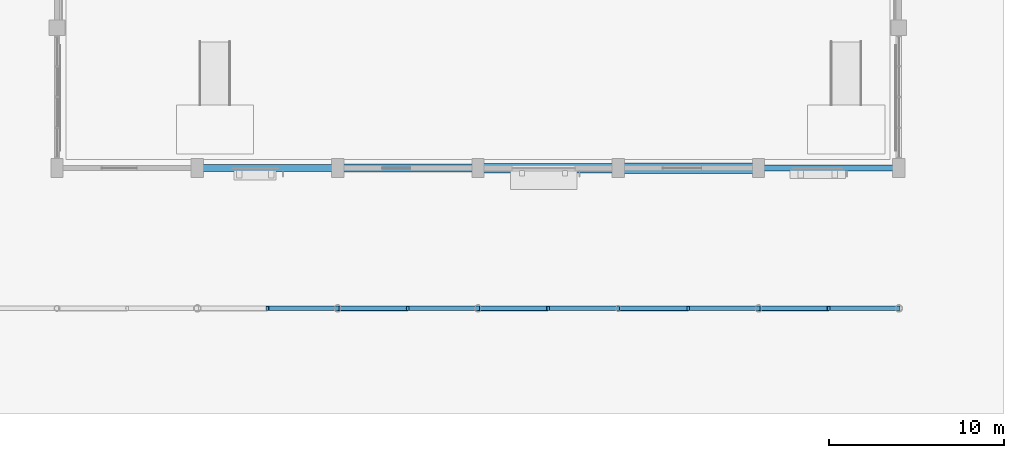
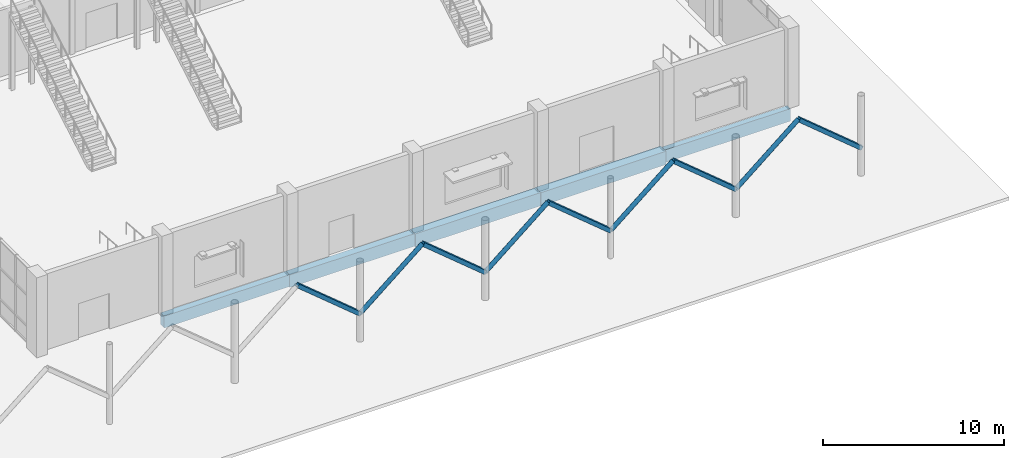
# One storey, part 52 of 123: 9 members, 5 beams.
"""IFC4 building model written with IfcOpenShell, lengths in metres."""

from ifc_helpers import new_model, si_unit, direction, frame, origin, origin_2d, place, context, subcontext, project, spatial, rectangle, hollow_rectangle, hollow_circle, extrude, material, material_profile, profile_set, type_object, element, save


model = new_model("IFC4")

# Units and contexts
model_context = context("Model", 3, precision=1e-05, world=origin(), true_north=direction((0.0, 1.0)))
body_context = subcontext(model_context, "Body", "Model", "MODEL_VIEW")
ifc_project = project(units=[si_unit("LENGTHUNIT", "METRE"), si_unit("AREAUNIT", "SQUARE_METRE"), si_unit("VOLUMEUNIT", "CUBIC_METRE"), si_unit("PLANEANGLEUNIT", "RADIAN"), si_unit("MASSUNIT", "GRAM", prefix="KILO")], contexts=[model_context])

# Site, building, storey
site_placement = place(None, origin())
site = spatial("IfcSite", under=ifc_project, at=site_placement, CompositionType="ELEMENT")
building_placement = place(site_placement, origin())
building = spatial("IfcBuilding", under=site, at=building_placement, Name="Tenunan Teduh Sports Hall", CompositionType="ELEMENT")
storey_placement = place(building_placement, origin())
storey = spatial("IfcBuildingStorey", under=building, at=storey_placement, Name="L00", CompositionType="ELEMENT", Elevation=0.0)

# Beams
ifc_material_1 = material(Name="Concrete C40/50", Category="concrete")
ifc_material_profile_1 = material_profile(ifc_material_1, rectangle(XDim=0.39990234375, YDim=0.800048828125, at=origin_2d()), Name="RCB 400x800")
ifc_profile_set_1 = profile_set([ifc_material_profile_1], Name="Concrete C40/50")
beam_type_1 = type_object("IfcBeamType", Name="BM-RC-400x800", PredefinedType="BEAM", material=ifc_profile_set_1)
beam_1_placement = place(storey_placement, frame((130.0, 14.0, -0.719970703125), z_axis=(1.0, 0.0, 0.0), x_axis=(0.0, 1.0, 0.0)))
element("IfcBeam", 1, at=beam_1_placement, inside=storey, type_object=beam_type_1, Name="BM-B-10-L00-0632", PredefinedType="BEAM", context=body_context, shape_type="SweptSolid", body=[
    extrude(rectangle(XDim=0.39990234375, YDim=0.800048828125, at=origin_2d()), origin(), (0.0, 0.0, 1.0), 8.0),
])
ifc_material_2 = material(Name="Concrete C40/50", Category="concrete")
ifc_material_profile_2 = material_profile(ifc_material_2, rectangle(XDim=0.449951171875, YDim=0.85009765625, at=origin_2d()), Name="RCB 450x850")
ifc_profile_set_2 = profile_set([ifc_material_profile_2], Name="Concrete C40/50")
beam_type_2 = type_object("IfcBeamType", Name="BM-RC-450x850", PredefinedType="BEAM", material=ifc_profile_set_2)
beam_2_placement = place(storey_placement, frame((138.0, 14.0, -0.7451171875), z_axis=(1.0, 0.0, 0.0), x_axis=(0.0, 1.0, 0.0)))
element("IfcBeam", 2, at=beam_2_placement, inside=storey, type_object=beam_type_2, Name="BM-B-13-L00-0633", PredefinedType="BEAM", context=body_context, shape_type="SweptSolid", body=[
    extrude(rectangle(XDim=0.449951171875, YDim=0.85009765625, at=origin_2d()), origin(), (0.0, 0.0, 1.0), 8.0),
])
ifc_material_3 = material(Name="Concrete C40/50", Category="concrete")
ifc_material_profile_3 = material_profile(ifc_material_3, rectangle(XDim=0.550048828125, YDim=0.89990234375, at=origin_2d()), Name="RCB 550x900")
ifc_profile_set_3 = profile_set([ifc_material_profile_3], Name="Concrete C40/50")
beam_type_3 = type_object("IfcBeamType", Name="BM-RC-550x900", PredefinedType="BEAM", material=ifc_profile_set_3)
beam_3_placement = place(storey_placement, frame((146.0, 14.0, -0.77001953125), z_axis=(1.0, 0.0, 0.0), x_axis=(0.0, 1.0, 0.0)))
element("IfcBeam", 3, at=beam_3_placement, inside=storey, type_object=beam_type_3, Name="BM-B-16-L00-0634", PredefinedType="BEAM", context=body_context, shape_type="SweptSolid", body=[
    extrude(rectangle(XDim=0.550048828125, YDim=0.89990234375, at=origin_2d()), origin(), (0.0, 0.0, 1.0), 8.0),
])
ifc_material_4 = material(Name="Concrete C40/50", Category="concrete")
ifc_material_profile_4 = material_profile(ifc_material_4, rectangle(XDim=0.60009765625, YDim=0.89990234375, at=origin_2d()), Name="RCB 600x900")
ifc_profile_set_4 = profile_set([ifc_material_profile_4], Name="Concrete C40/50")
beam_type_4 = type_object("IfcBeamType", Name="BM-RC-600x900", PredefinedType="BEAM", material=ifc_profile_set_4)
beam_4_placement = place(storey_placement, frame((154.0, 14.0, -0.77001953125), z_axis=(1.0, 0.0, 0.0), x_axis=(0.0, 1.0, 0.0)))
element("IfcBeam", 4, at=beam_4_placement, inside=storey, type_object=beam_type_4, Name="BM-B-17-L00-0635", PredefinedType="BEAM", context=body_context, shape_type="SweptSolid", body=[
    extrude(rectangle(XDim=0.60009765625, YDim=0.89990234375, at=origin_2d()), origin(), (0.0, 0.0, 1.0), 8.0),
])
ifc_material_5 = material(Name="Concrete C40/50", Category="concrete")
ifc_material_profile_5 = material_profile(ifc_material_5, rectangle(XDim=0.35009765625, YDim=0.85009765625, at=origin_2d()), Name="SPB 350x850")
ifc_profile_set_5 = profile_set([ifc_material_profile_5], Name="Concrete C40/50")
beam_type_5 = type_object("IfcBeamType", Name="BM-SP-350x850", PredefinedType="SPANDREL", material=ifc_profile_set_5)
beam_5_placement = place(storey_placement, frame((162.0, 14.0, -0.7451171875), z_axis=(1.0, 0.0, 0.0), x_axis=(0.0, 1.0, 0.0)))
element("IfcBeam", 5, at=beam_5_placement, inside=storey, type_object=beam_type_5, Name="BM-SP-02-L00-0636", PredefinedType="SPANDREL", context=body_context, shape_type="SweptSolid", body=[
    extrude(rectangle(XDim=0.35009765625, YDim=0.85009765625, at=origin_2d()), origin(), (0.0, 0.0, 1.0), 8.0),
])

# Members
ifc_material_6 = material(Name="Steel S355", Category="steel")
ifc_material_profile_6 = material_profile(ifc_material_6, hollow_circle(Radius=0.136474609375, WallThickness=0.010009765625, at=origin_2d()), Name="CHS 273.0x10.0")
ifc_profile_set_6 = profile_set([ifc_material_profile_6], Name="Steel S355")
member_type_1 = type_object("IfcMemberType", Name="MEM-ST-CHS273", PredefinedType="STRUT", material=ifc_profile_set_6)
for number, where, z_axis, x_axis, name in (
    (6, (138.0, 6.0, 1.800048828125), (0.76947477025, 0.0, 0.638677209511), (0.0, 1.0, 0.0), "MEM-VS-04-L00-1000"),
    (7, (146.0, 6.0, 1.800048828125), (0.76947477025, 0.0, 0.638677209511), (0.0, 1.0, 0.0), "MEM-VS-04-L00-1005"),
    (8, (154.0, 6.0, 1.800048828125), (0.76947477025, 0.0, 0.638677209511), (0.0, 1.0, 0.0), "MEM-VS-04-L00-1010"),
    (9, (162.0, 6.0, 1.800048828125), (0.76947477025, 0.0, 0.638677209511), (0.0, 1.0, 0.0), "MEM-VS-04-L00-1015"),
):
    element("IfcMember", number, at=place(storey_placement, frame(where, z_axis=z_axis, x_axis=x_axis)), inside=storey, type_object=member_type_1, Name=name, PredefinedType="STRUT", context=body_context, shape_type="SweptSolid", body=[
        extrude(hollow_circle(Radius=0.136474609375, WallThickness=0.010009765625, at=origin_2d()), origin(), (0.0, 0.0, 1.0), 5.1982421875),
    ])
ifc_material_7 = material(Name="Steel S355", Category="steel")
ifc_material_profile_7 = material_profile(ifc_material_7, hollow_rectangle(XDim=0.25, YDim=0.25, WallThickness=0.012451171875, at=origin_2d()), Name="SHS 250x250x12.5")
ifc_profile_set_7 = profile_set([ifc_material_profile_7], Name="Steel S355")
member_type_2 = type_object("IfcMemberType", Name="MEM-ST-SHS250", PredefinedType="STRUT", material=ifc_profile_set_7)
for number, where, z_axis, x_axis, name in (
    (10, (138.0, 6.0, 1.800048828125), (-0.76947477025, 0.0, 0.638677209511), (0.0, -1.0, 0.0), "MEM-VS-01-L00-0996"),
    (11, (146.0, 6.0, 1.800048828125), (-0.76947477025, 0.0, 0.638677209511), (0.0, -1.0, 0.0), "MEM-VS-01-L00-1001"),
    (12, (154.0, 6.0, 1.800048828125), (-0.76947477025, 0.0, 0.638677209511), (0.0, -1.0, 0.0), "MEM-VS-01-L00-1006"),
    (13, (162.0, 6.0, 1.800048828125), (-0.76947477025, 0.0, 0.638677209511), (0.0, -1.0, 0.0), "MEM-VS-01-L00-1011"),
    (14, (170.0, 6.0, 1.800048828125), (-0.76947477025, 0.0, 0.638677209511), (0.0, -1.0, 0.0), "MEM-VS-01-L00-1016"),
):
    element("IfcMember", number, at=place(storey_placement, frame(where, z_axis=z_axis, x_axis=x_axis)), inside=storey, type_object=member_type_2, Name=name, PredefinedType="STRUT", context=body_context, shape_type="SweptSolid", body=[
        extrude(hollow_rectangle(XDim=0.25, YDim=0.25, WallThickness=0.012451171875, at=origin_2d()), origin(), (0.0, 0.0, 1.0), 5.1982421875),
    ])

save(model, "model.ifc")
